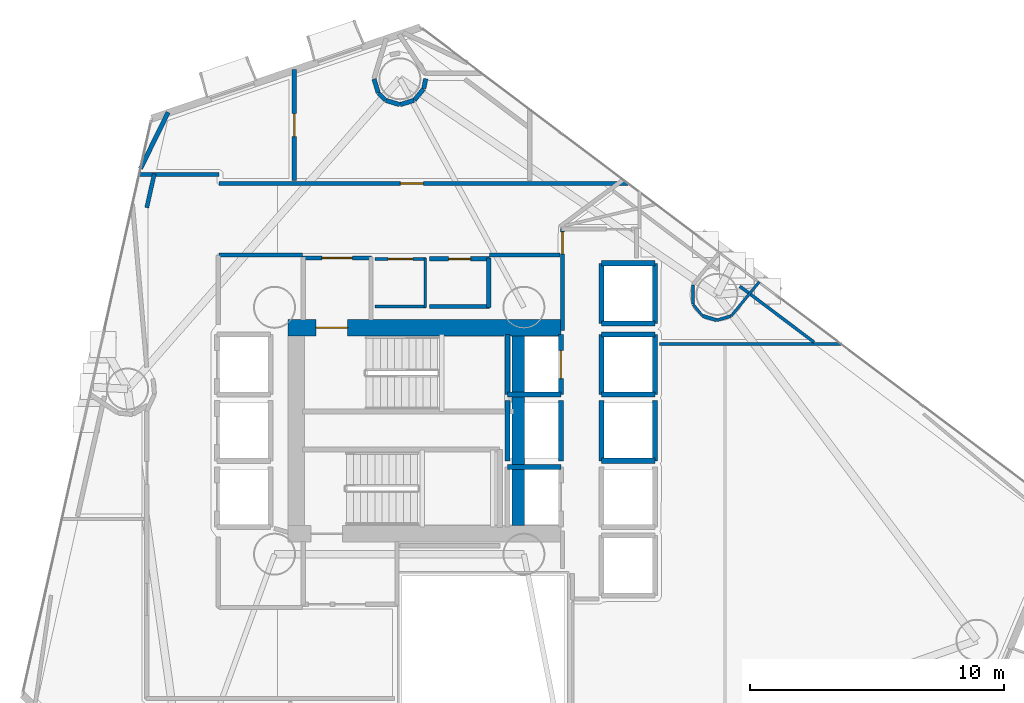
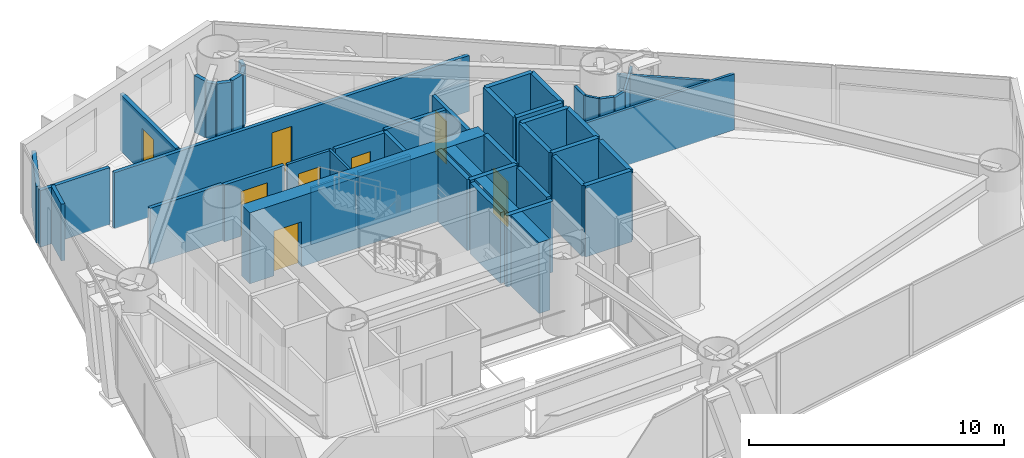
# One storey, part 17 of 22: 47 walls, 8 doors, 8 openings.
"""IFC4 building model written with IfcOpenShell, lengths in metres."""

from ifc_helpers import new_model, si_unit, direction, frame, frame_2d, origin, place, context, subcontext, project, spatial, rectangle, extrude, material, layer, layer_set, type_object, element, fill, save


model = new_model("IFC4")

# Units and contexts
model_context = context("Model", 3, precision=1e-05, world=origin(), true_north=direction((0.0, 1.0)))
body_context = subcontext(model_context, "Body", "Model", "MODEL_VIEW")
ifc_project = project(units=[si_unit("LENGTHUNIT", "METRE"), si_unit("AREAUNIT", "SQUARE_METRE"), si_unit("VOLUMEUNIT", "CUBIC_METRE"), si_unit("PLANEANGLEUNIT", "RADIAN"), si_unit("MASSUNIT", "GRAM", prefix="KILO")], contexts=[model_context])

# Site, building, storey
site_placement = place(None, origin())
site = spatial("IfcSite", under=ifc_project, at=site_placement, CompositionType="ELEMENT")
building_placement = place(site_placement, origin())
building = spatial("IfcBuilding", under=site, at=building_placement, Name="Qianvela Tower", CompositionType="ELEMENT")
storey_placement = place(building_placement, frame((0.0, 0.0, 89.5)))
storey = spatial("IfcBuildingStorey", under=building, at=storey_placement, Name="L22", CompositionType="ELEMENT", Elevation=89.5)

# Wall, opening, door
ifc_material_1 = material(Name="Concrete C60", Category="concrete")
ifc_layer_1 = layer(ifc_material_1, 0.64990234375)
ifc_layer_set_1 = layer_set([ifc_layer_1], Name="Concrete C60")
wall_type_1 = type_object("IfcWallType", Name="WT-CORE-650", PredefinedType="SHEAR", material=ifc_layer_set_1)
wall_1_placement = place(storey_placement, frame((29.1298828125, 32.7451171875, 0.0), z_axis=(0.0, 0.0, 1.0), x_axis=(1.0, 0.0, 0.0)))
wall_1 = element("IfcWall", 1, at=wall_1_placement, inside=storey, type_object=wall_type_1, Name="L22 North Core Shear Wall", PredefinedType="SHEAR", context=body_context, shape_type="SweptSolid", body=[
    extrude(rectangle(XDim=10.72021484375, YDim=0.64990234375, at=frame_2d((5.360107421875, 0.0))), origin(), (0.0, 0.0, 1.0), 3.39990234375),
])
opening_1_placement = place(wall_1_placement, frame((1.094970703125, 0.0, 0.0)))
opening_1 = element("IfcOpeningElement", 2, at=opening_1_placement, cuts=wall_1, Name="Opening D-ST1", PredefinedType="OPENING", context=body_context, shape_type="SweptSolid", body=[
    extrude(rectangle(XDim=1.25, YDim=2.14990234375, at=frame_2d((0.625, 1.074951171875))), frame((0.0, 0.3349609375, 0.0), z_axis=(0.0, -1.0, 0.0), x_axis=(1.0, 0.0, 0.0)), (0.0, 0.0, 1.0), 0.669921875),
])
ifc_material_2 = material(Name="Galvanised Fire Steel Q355B", Category="steel")
door_type_1 = type_object("IfcDoorType", Name="DT-STAIR-FD90", OperationType="NOTDEFINED", PredefinedType="DOOR", material=ifc_material_2)
door_1_placement = place(opening_1_placement, origin())
door_1 = element("IfcDoor", 3, at=door_1_placement, inside=storey, type_object=door_type_1, Name="L22 Stair ST-1 Exit Door", OperationType="SINGLE_SWING_RIGHT", OverallHeight=2.14990234375, OverallWidth=1.25, PredefinedType="DOOR", context=body_context, shape_type="SweptSolid", body=[
    extrude(rectangle(XDim=1.25, YDim=2.14990234375, at=frame_2d((0.625, 1.074951171875))), frame((0.0, 0.02490234375, 0.0), z_axis=(0.0, -1.0, 0.0), x_axis=(1.0, 0.0, 0.0)), (0.0, 0.0, 1.0), 0.050048828125),
])
fill(opening_1, door_1)

# Wall
wall_2_placement = place(storey_placement, frame((38.179931640625, 24.97998046875, 0.0), z_axis=(0.0, 0.0, 1.0), x_axis=(0.0, 1.0, 0.0)))
element("IfcWall", 4, at=wall_2_placement, inside=storey, type_object=wall_type_1, Name="L22 East Spine Core Shear Wall", PredefinedType="SHEAR", context=body_context, shape_type="SweptSolid", body=[
    extrude(rectangle(XDim=7.43994140625, YDim=0.5, at=frame_2d((3.719970703125, 0.0))), origin(), (0.0, 0.0, 1.0), 3.39990234375),
])

# Wall, opening, door
ifc_material_3 = material(Name="Fire-Rated Gypsum and Concrete Block", Category="concrete")
ifc_layer_2 = layer(ifc_material_3, 0.159912109375)
ifc_layer_set_2 = layer_set([ifc_layer_2], Name="Fire-Rated Gypsum and Concrete Block")
wall_type_2 = type_object("IfcWallType", Name="WT-CORR-160", PredefinedType="PARTITIONING", material=ifc_layer_set_2)
wall_3_placement = place(storey_placement, frame((29.699951171875, 35.489013671875, 0.0), z_axis=(0.0, 0.0, 1.0), x_axis=(1.0, 0.0, 0.0)))
wall_3 = element("IfcWall", 5, at=wall_3_placement, inside=storey, type_object=wall_type_2, Name="L22 Partition 3", PredefinedType="PARTITIONING", context=body_context, shape_type="SweptSolid", body=[
    extrude(rectangle(XDim=2.719970703125, YDim=0.159912109375, at=frame_2d((1.35986328125, 0.0))), origin(), (0.0, 0.0, 1.0), 2.719970703125),
])
opening_2_placement = place(wall_3_placement, frame((0.760009765625, 0.0, 0.0)))
opening_2 = element("IfcOpeningElement", 6, at=opening_2_placement, cuts=wall_3, Name="Opening D-LB1", PredefinedType="OPENING", context=body_context, shape_type="SweptSolid", body=[
    extrude(rectangle(XDim=1.199951171875, YDim=2.14990234375, at=frame_2d((0.60009765625, 1.074951171875))), frame((0.0, 0.08984375, 0.0), z_axis=(0.0, -1.0, 0.0), x_axis=(1.0, 0.0, 0.0)), (0.0, 0.0, 1.0), 0.179931640625),
])
ifc_material_4 = material(Name="Glazed Fire-Rated Steel Frame", Category="steel")
door_type_2 = type_object("IfcDoorType", Name="DT-LOBBY-FD90", OperationType="NOTDEFINED", PredefinedType="DOOR", material=ifc_material_4)
door_2_placement = place(opening_2_placement, origin())
door_2 = element("IfcDoor", 7, at=door_2_placement, inside=storey, type_object=door_type_2, Name="L22 Door L22 Firefighting Lobby North to L22 Floor Corridor", OperationType="SINGLE_SWING_RIGHT", OverallHeight=2.14990234375, OverallWidth=1.199951171875, PredefinedType="DOOR", context=body_context, shape_type="SweptSolid", body=[
    extrude(rectangle(XDim=1.199951171875, YDim=2.14990234375, at=frame_2d((0.60009765625, 1.074951171875))), frame((0.0, 0.02490234375, 0.0), z_axis=(0.0, -1.0, 0.0), x_axis=(1.0, 0.0, 0.0)), (0.0, 0.0, 1.0), 0.050048828125),
])
fill(opening_2, door_2)

wall_4_placement = place(storey_placement, frame((39.910888671875, 32.639892578125, 0.0), z_axis=(0.0, 0.0, 1.0), x_axis=(0.0, 1.0, 0.0)))
wall_4 = element("IfcWall", 8, at=wall_4_placement, inside=storey, type_object=wall_type_2, Name="L22 Partition 10", PredefinedType="PARTITIONING", context=body_context, shape_type="SweptSolid", body=[
    extrude(rectangle(XDim=4.010009765625, YDim=0.159912109375, at=frame_2d((2.0048828125, 0.0))), origin(), (0.0, 0.0, 1.0), 2.719970703125),
])
opening_3_placement = place(wall_4_placement, frame((3.010009765625, 0.0, 0.0)))
opening_3 = element("IfcOpeningElement", 9, at=opening_3_placement, cuts=wall_4, Name="Opening D-LB2", PredefinedType="OPENING", context=body_context, shape_type="SweptSolid", body=[
    extrude(rectangle(XDim=0.860107421875, YDim=2.050048828125, at=frame_2d((0.43017578125, 1.02490234375))), frame((0.0, 0.08984375, 0.0), z_axis=(0.0, -1.0, 0.0), x_axis=(1.0, 0.0, 0.0)), (0.0, 0.0, 1.0), 0.179931640625),
])
ifc_material_5 = material(Name="Insulated Steel Fire Door Q355B", Category="steel")
door_type_3 = type_object("IfcDoorType", Name="DT-LOBBY-FD90-860", OperationType="NOTDEFINED", PredefinedType="DOOR", material=ifc_material_5)
door_3_placement = place(opening_3_placement, origin())
door_3 = element("IfcDoor", 10, at=door_3_placement, inside=storey, type_object=door_type_3, Name="L22 Door L22 Lift Lobby to L22 Floor Corridor", OperationType="SINGLE_SWING_LEFT", OverallHeight=2.050048828125, OverallWidth=0.860107421875, PredefinedType="DOOR", context=body_context, shape_type="SweptSolid", body=[
    extrude(rectangle(XDim=0.860107421875, YDim=2.050048828125, at=frame_2d((0.43017578125, 1.02490234375))), frame((0.0, 0.02490234375, 0.0), z_axis=(0.0, -1.0, 0.0), x_axis=(1.0, 0.0, 0.0)), (0.0, 0.0, 1.0), 0.050048828125),
])
fill(opening_3, door_3)

# Walls
wall_5_placement = place(storey_placement, frame((23.580078125, 37.46435546875, 0.0), z_axis=(0.0, 0.0, 1.0), x_axis=(0.219055756509, 0.97571234262, 0.0)))
element("IfcWall", 11, at=wall_5_placement, inside=storey, type_object=wall_type_2, Name="L22 Partition 40", PredefinedType="PARTITIONING", context=body_context, shape_type="SweptSolid", body=[
    extrude(rectangle(XDim=1.36181640625, YDim=0.159912109375, at=frame_2d((0.680908203125, 0.0))), origin(), (0.0, 0.0, 1.0), 2.719970703125),
])
wall_6_placement = place(storey_placement, frame((23.262451171875, 38.76904296875, 0.0), z_axis=(0.0, 0.0, 1.0), x_axis=(1.0, 0.0, 0.0)))
element("IfcWall", 12, at=wall_6_placement, inside=storey, type_object=wall_type_2, Name="L22 Partition 41", PredefinedType="PARTITIONING", context=body_context, shape_type="SweptSolid", body=[
    extrude(rectangle(XDim=3.157470703125, YDim=0.159912109375, at=frame_2d((1.57861328125, 0.0))), origin(), (0.0, 0.0, 1.0), 2.719970703125),
])

# Wall, opening, door
wall_7_placement = place(storey_placement, frame((26.419921875, 38.4189453125, 0.0), z_axis=(0.0, 0.0, 1.0), x_axis=(1.0, 0.0, 0.0)))
wall_7 = element("IfcWall", 13, at=wall_7_placement, inside=storey, type_object=wall_type_2, Name="L22 Partition 42", PredefinedType="PARTITIONING", context=body_context, shape_type="SweptSolid", body=[
    extrude(rectangle(XDim=16.07470703125, YDim=0.159912109375, at=frame_2d((8.037353515625, 0.0))), origin(), (0.0, 0.0, 1.0), 2.677978515625),
])
opening_4_placement = place(wall_7_placement, frame((7.1298828125, 0.0, 0.0)))
opening_4 = element("IfcOpeningElement", 14, at=opening_4_placement, cuts=wall_7, Name="Opening D-KT1", PredefinedType="OPENING", context=body_context, shape_type="SweptSolid", body=[
    extrude(rectangle(XDim=0.89990234375, YDim=2.10009765625, at=frame_2d((0.449951171875, 1.050048828125))), frame((0.0, 0.08984375, 0.0), z_axis=(0.0, -1.0, 0.0), x_axis=(1.0, 0.0, 0.0)), (0.0, 0.0, 1.0), 0.179931640625),
])
ifc_material_6 = material(Name="Glazed Timber Kitchen Door", Category="wood")
door_type_4 = type_object("IfcDoorType", Name="DT-KITCH-900", OperationType="NOTDEFINED", PredefinedType="DOOR", material=ifc_material_6)
door_4_placement = place(opening_4_placement, origin())
door_4 = element("IfcDoor", 15, at=door_4_placement, inside=storey, type_object=door_type_4, Name="L22 Door Student Tea Pantry L22-04 to L22 Floor Corridor", OperationType="SINGLE_SWING_RIGHT", OverallHeight=2.10009765625, OverallWidth=0.89990234375, PredefinedType="DOOR", context=body_context, shape_type="SweptSolid", body=[
    extrude(rectangle(XDim=0.89990234375, YDim=2.10009765625, at=frame_2d((0.449951171875, 1.050048828125))), frame((0.0, 0.02490234375, 0.0), z_axis=(0.0, -1.0, 0.0), x_axis=(1.0, 0.0, 0.0)), (0.0, 0.0, 1.0), 0.050048828125),
])
fill(opening_4, door_4)

# Walls
wall_8_placement = place(storey_placement, frame((39.818115234375, 35.611083984375, 0.0), z_axis=(0.0, 0.0, 1.0), x_axis=(-1.0, 0.0, 0.0)))
element("IfcWall", 16, at=wall_8_placement, inside=storey, type_object=wall_type_2, Name="L22 Partition 45 seg 1", PredefinedType="PARTITIONING", context=body_context, shape_type="SweptSolid", body=[
    extrude(rectangle(XDim=2.76806640625, YDim=0.159912109375, at=frame_2d((1.384033203125, 0.0))), origin(), (0.0, 0.0, 1.0), 2.719970703125),
])
wall_9_placement = place(storey_placement, frame((29.699951171875, 35.611083984375, 0.0), z_axis=(0.0, 0.0, 1.0), x_axis=(-1.0, 0.0, 0.0)))
element("IfcWall", 17, at=wall_9_placement, inside=storey, type_object=wall_type_2, Name="L22 Partition 45 seg 4", PredefinedType="PARTITIONING", context=body_context, shape_type="SweptSolid", body=[
    extrude(rectangle(XDim=3.280029296875, YDim=0.159912109375, at=frame_2d((1.64013671875, 0.0))), origin(), (0.0, 0.0, 1.0), 2.677978515625),
])
ifc_material_7 = material(Name="Lightweight Gypsum Room Partition")
ifc_layer_3 = layer(ifc_material_7, 0.10498046875)
ifc_layer_set_3 = layer_set([ifc_layer_3], Name="Lightweight Gypsum Room Partition")
wall_type_3 = type_object("IfcWallType", Name="WT-PART-105", PredefinedType="PARTITIONING", material=ifc_layer_set_3)
wall_10_placement = place(storey_placement, frame((34.550048828125, 33.5810546875, 0.0), z_axis=(0.0, 0.0, 1.0), x_axis=(-1.0, 0.0, 0.0)))
element("IfcWall", 18, at=wall_10_placement, inside=storey, type_object=wall_type_3, Name="L22 Partition 18", PredefinedType="PARTITIONING", context=body_context, shape_type="SweptSolid", body=[
    extrude(rectangle(XDim=2.0, YDim=0.10498046875, at=frame_2d((1.0, 0.0))), origin(), (0.0, 0.0, 1.0), 2.719970703125),
])
wall_11_placement = place(storey_placement, frame((34.51904296875, 35.47998046875, 0.0), z_axis=(0.0, 0.0, 1.0), x_axis=(0.0, -1.0, 0.0)))
element("IfcWall", 19, at=wall_11_placement, inside=storey, type_object=wall_type_3, Name="L22 Partition 21", PredefinedType="PARTITIONING", context=body_context, shape_type="SweptSolid", body=[
    extrude(rectangle(XDim=1.929931640625, YDim=0.10498046875, at=frame_2d((0.96484375, 0.0))), origin(), (0.0, 0.0, 1.0), 2.719970703125),
])
wall_12_placement = place(storey_placement, frame((45.050048828125, 33.660400390625, 0.0), z_axis=(0.0, 0.0, 1.0), x_axis=(0.634329694458, -0.773062635709, 0.0)))
element("IfcWall", 20, at=wall_12_placement, inside=storey, type_object=wall_type_3, Name="L22 Partition 84", PredefinedType="PARTITIONING", context=body_context, shape_type="SweptSolid", body=[
    extrude(rectangle(XDim=0.572021484375, YDim=0.10498046875, at=frame_2d((0.2861328125, 0.0))), origin(), (0.0, 0.0, 1.0), 2.719970703125),
])
wall_13_placement = place(storey_placement, frame((46.55517578125, 33.21826171875, 0.0), z_axis=(0.0, 0.0, 1.0), x_axis=(0.634357939729, 0.773039458439, 0.0)))
element("IfcWall", 21, at=wall_13_placement, inside=storey, type_object=wall_type_3, Name="L22 Partition 87", PredefinedType="PARTITIONING", context=body_context, shape_type="SweptSolid", body=[
    extrude(rectangle(XDim=1.719970703125, YDim=0.10498046875, at=frame_2d((0.85986328125, 0.0))), origin(), (0.0, 0.0, 1.0), 2.677978515625),
])

# Wall, opening, door
ifc_material_8 = material(Name="Insulated Gypsum Stud Partition")
ifc_layer_4 = layer(ifc_material_8, 0.1201171875)
ifc_layer_set_4 = layer_set([ifc_layer_4], Name="Insulated Gypsum Stud Partition")
wall_type_4 = type_object("IfcWallType", Name="WT-PART-120", PredefinedType="PARTITIONING", material=ifc_layer_set_4)
wall_14_placement = place(storey_placement, frame((32.550048828125, 35.448974609375, 0.0), z_axis=(0.0, 0.0, 1.0), x_axis=(1.0, 0.0, 0.0)))
wall_14 = element("IfcWall", 22, at=wall_14_placement, inside=storey, type_object=wall_type_4, Name="L22 Partition 20", PredefinedType="PARTITIONING", context=body_context, shape_type="SweptSolid", body=[
    extrude(rectangle(XDim=2.0, YDim=0.1201171875, at=frame_2d((1.0, 0.0))), origin(), (0.0, 0.0, 1.0), 2.719970703125),
])
opening_5_placement = place(wall_14_placement, frame((0.510009765625, 0.0, 0.0)))
opening_5 = element("IfcOpeningElement", 23, at=opening_5_placement, cuts=wall_14, Name="Opening D-RM1", PredefinedType="OPENING", context=body_context, shape_type="SweptSolid", body=[
    extrude(rectangle(XDim=0.97998046875, YDim=2.10009765625, at=frame_2d((0.489990234375, 1.050048828125))), frame((0.0, 0.070068359375, 0.0), z_axis=(0.0, -1.0, 0.0), x_axis=(1.0, 0.0, 0.0)), (0.0, 0.0, 1.0), 0.14013671875),
])
ifc_material_9 = material(Name="Solid Core Acoustic Timber Fire Door", Category="wood")
door_type_5 = type_object("IfcDoorType", Name="DT-ROOM-FD60", OperationType="NOTDEFINED", PredefinedType="DOOR", material=ifc_material_9)
door_5_placement = place(opening_5_placement, origin())
door_5 = element("IfcDoor", 24, at=door_5_placement, inside=storey, type_object=door_type_5, Name="L22 Door L22 Cleaner Store to L22 Floor Corridor", OperationType="SINGLE_SWING_RIGHT", OverallHeight=2.10009765625, OverallWidth=0.97998046875, PredefinedType="DOOR", context=body_context, shape_type="SweptSolid", body=[
    extrude(rectangle(XDim=0.97998046875, YDim=2.10009765625, at=frame_2d((0.489990234375, 1.050048828125))), frame((0.0, 0.02490234375, 0.0), z_axis=(0.0, -1.0, 0.0), x_axis=(1.0, 0.0, 0.0)), (0.0, 0.0, 1.0), 0.050048828125),
])
fill(opening_5, door_5)

# Walls
wall_15_placement = place(storey_placement, frame((43.719970703125, 32.10693359375, 0.0), z_axis=(0.0, 0.0, 1.0), x_axis=(1.0, 0.0, 0.0)))
element("IfcWall", 25, at=wall_15_placement, inside=storey, type_object=wall_type_4, Name="L22 Partition 68", PredefinedType="PARTITIONING", context=body_context, shape_type="SweptSolid", body=[
    extrude(rectangle(XDim=7.153076171875, YDim=0.1201171875, at=frame_2d((3.57666015625, 0.0))), origin(), (0.0, 0.0, 1.0), 2.677978515625),
])
wall_16_placement = place(storey_placement, frame((45.04296875, 34.433837890625, 0.0), z_axis=(0.0, 0.0, 1.0), x_axis=(0.0, -1.0, 0.0)))
element("IfcWall", 26, at=wall_16_placement, inside=storey, type_object=wall_type_4, Name="L22 Partition 83", PredefinedType="PARTITIONING", context=body_context, shape_type="SweptSolid", body=[
    extrude(rectangle(XDim=0.753662109375, YDim=0.1201171875, at=frame_2d((0.376953125, 0.0))), origin(), (0.0, 0.0, 1.0), 2.719970703125),
])
wall_17_placement = place(storey_placement, frame((45.992919921875, 33.042236328125, 0.0), z_axis=(0.0, 0.0, 1.0), x_axis=(0.956952578659, 0.290244314669, 0.0)))
element("IfcWall", 27, at=wall_17_placement, inside=storey, type_object=wall_type_4, Name="L22 Partition 86", PredefinedType="PARTITIONING", context=body_context, shape_type="SweptSolid", body=[
    extrude(rectangle(XDim=0.572021484375, YDim=0.1201171875, at=frame_2d((0.2861328125, 0.0))), origin(), (0.0, 0.0, 1.0), 2.677978515625),
])
wall_18_placement = place(storey_placement, frame((46.8857421875, 34.37451171875, 0.0), z_axis=(0.0, 0.0, 1.0), x_axis=(0.798755968832, -0.60165513565, 0.0)))
element("IfcWall", 28, at=wall_18_placement, inside=storey, type_object=wall_type_4, Name="L22 Partition 89", PredefinedType="PARTITIONING", context=body_context, shape_type="SweptSolid", body=[
    extrude(rectangle(XDim=3.6552734375, YDim=0.1201171875, at=frame_2d((1.82763671875, 0.0))), origin(), (0.0, 0.0, 1.0), 2.677978515625),
])
ifc_material_10 = material(Name="Moisture-Resistant Acoustic Plumbing Wall")
ifc_layer_5 = layer(ifc_material_10, 0.175048828125)
ifc_layer_set_5 = layer_set([ifc_layer_5], Name="Moisture-Resistant Acoustic Plumbing Wall")
wall_type_5 = type_object("IfcWallType", Name="WT-PLUMB-175", PredefinedType="PLUMBINGWALL", material=ifc_layer_set_5)
wall_19_placement = place(storey_placement, frame((37.050048828125, 33.5810546875, 0.0), z_axis=(0.0, 0.0, 1.0), x_axis=(-1.0, 0.0, 0.0)))
element("IfcWall", 29, at=wall_19_placement, inside=storey, type_object=wall_type_5, Name="L22 Partition 22", PredefinedType="PLUMBINGWALL", context=body_context, shape_type="SweptSolid", body=[
    extrude(rectangle(XDim=2.35009765625, YDim=0.175048828125, at=frame_2d((1.175048828125, 0.0))), origin(), (0.0, 0.0, 1.0), 2.719970703125),
])

# Wall, opening, door
wall_20_placement = place(storey_placement, frame((34.699951171875, 35.448974609375, 0.0), z_axis=(0.0, 0.0, 1.0), x_axis=(1.0, 0.0, 0.0)))
wall_20 = element("IfcWall", 30, at=wall_20_placement, inside=storey, type_object=wall_type_5, Name="L22 Partition 24", PredefinedType="PLUMBINGWALL", context=body_context, shape_type="SweptSolid", body=[
    extrude(rectangle(XDim=2.35009765625, YDim=0.175048828125, at=frame_2d((1.175048828125, 0.0))), origin(), (0.0, 0.0, 1.0), 2.719970703125),
])
opening_6_placement = place(wall_20_placement, frame((0.7451171875, 0.0, 0.0)))
opening_6 = element("IfcOpeningElement", 31, at=opening_6_placement, cuts=wall_20, Name="Opening D-WC1", PredefinedType="OPENING", context=body_context, shape_type="SweptSolid", body=[
    extrude(rectangle(XDim=0.860107421875, YDim=2.050048828125, at=frame_2d((0.43017578125, 1.02490234375))), frame((0.0, 0.097412109375, 0.0), z_axis=(0.0, -1.0, 0.0), x_axis=(1.0, 0.0, 0.0)), (0.0, 0.0, 1.0), 0.195068359375),
])
ifc_material_11 = material(Name="Moisture-Sealed Acoustic Timber Door", Category="wood")
door_type_6 = type_object("IfcDoorType", Name="DT-WC-860", OperationType="NOTDEFINED", PredefinedType="DOOR", material=ifc_material_11)
door_6_placement = place(opening_6_placement, origin())
door_6 = element("IfcDoor", 32, at=door_6_placement, inside=storey, type_object=door_type_6, Name="L22 Door L22 Accessible WC to L22 Floor Corridor", OperationType="SINGLE_SWING_LEFT", OverallHeight=2.050048828125, OverallWidth=0.860107421875, PredefinedType="DOOR", context=body_context, shape_type="SweptSolid", body=[
    extrude(rectangle(XDim=0.860107421875, YDim=2.050048828125, at=frame_2d((0.43017578125, 1.02490234375))), frame((0.0, 0.02490234375, 0.0), z_axis=(0.0, -1.0, 0.0), x_axis=(1.0, 0.0, 0.0)), (0.0, 0.0, 1.0), 0.050048828125),
])
fill(opening_6, door_6)

# Wall
wall_21_placement = place(storey_placement, frame((37.01904296875, 35.47998046875, 0.0), z_axis=(0.0, 0.0, 1.0), x_axis=(0.0, -1.0, 0.0)))
element("IfcWall", 33, at=wall_21_placement, inside=storey, type_object=wall_type_5, Name="L22 Partition 25", PredefinedType="PLUMBINGWALL", context=body_context, shape_type="SweptSolid", body=[
    extrude(rectangle(XDim=1.929931640625, YDim=0.175048828125, at=frame_2d((0.96484375, 0.0))), origin(), (0.0, 0.0, 1.0), 2.719970703125),
])

# Wall, opening, door
wall_22_placement = place(storey_placement, frame((29.373046875, 38.530029296875, 0.0), z_axis=(0.0, 0.0, 1.0), x_axis=(0.0, 1.0, 0.0)))
wall_22 = element("IfcWall", 34, at=wall_22_placement, inside=storey, type_object=wall_type_5, Name="L22 Partition 91", PredefinedType="PLUMBINGWALL", context=body_context, shape_type="SweptSolid", body=[
    extrude(rectangle(XDim=4.360595703125, YDim=0.175048828125, at=frame_2d((2.18017578125, 0.0))), origin(), (0.0, 0.0, 1.0), 2.719970703125),
])
opening_7_placement = place(wall_22_placement, frame((1.730224609375, 0.0, 0.0)))
opening_7 = element("IfcOpeningElement", 35, at=opening_7_placement, cuts=wall_22, Name="Opening D-KT1", PredefinedType="OPENING", context=body_context, shape_type="SweptSolid", body=[
    extrude(rectangle(XDim=0.89990234375, YDim=2.10009765625, at=frame_2d((0.449951171875, 1.050048828125))), frame((0.0, 0.097412109375, 0.0), z_axis=(0.0, -1.0, 0.0), x_axis=(1.0, 0.0, 0.0)), (0.0, 0.0, 1.0), 0.195068359375),
])
door_7_placement = place(opening_7_placement, origin())
door_7 = element("IfcDoor", 36, at=door_7_placement, inside=storey, type_object=door_type_4, Name="L22 Door Floor Dining Kitchen L22-05 to Student Tea Pantry L22-04", OperationType="SINGLE_SWING_RIGHT", OverallHeight=2.10009765625, OverallWidth=0.89990234375, PredefinedType="DOOR", context=body_context, shape_type="SweptSolid", body=[
    extrude(rectangle(XDim=0.89990234375, YDim=2.10009765625, at=frame_2d((0.449951171875, 1.050048828125))), frame((0.0, 0.02490234375, 0.0), z_axis=(0.0, -1.0, 0.0), x_axis=(1.0, 0.0, 0.0)), (0.0, 0.0, 1.0), 0.050048828125),
])
fill(opening_7, door_7)

# Walls
wall_23_placement = place(storey_placement, frame((32.51123046875, 42.52001953125, 0.0), z_axis=(0.0, 0.0, 1.0), x_axis=(0.290362912899, -0.956916599716, 0.0)))
element("IfcWall", 37, at=wall_23_placement, inside=storey, type_object=wall_type_5, Name="L22 Partition 100", PredefinedType="PLUMBINGWALL", context=body_context, shape_type="SweptSolid", body=[
    extrude(rectangle(XDim=0.57177734375, YDim=0.175048828125, at=frame_2d((0.285888671875, 0.0))), origin(), (0.0, 0.0, 1.0), 2.719970703125),
])
wall_24_placement = place(storey_placement, frame((32.68505859375, 41.959716796875, 0.0), z_axis=(0.0, 0.0, 1.0), x_axis=(0.707106781187, -0.707106781187, 0.0)))
element("IfcWall", 38, at=wall_24_placement, inside=storey, type_object=wall_type_5, Name="L22 Partition 101", PredefinedType="PLUMBINGWALL", context=body_context, shape_type="SweptSolid", body=[
    extrude(rectangle(XDim=0.38427734375, YDim=0.175048828125, at=frame_2d((0.192138671875, 0.0))), origin(), (0.0, 0.0, 1.0), 2.677978515625),
])
wall_25_placement = place(storey_placement, frame((32.9697265625, 41.680419921875, 0.0), z_axis=(0.0, 0.0, 1.0), x_axis=(0.956952578659, -0.290244314669, 0.0)))
element("IfcWall", 39, at=wall_25_placement, inside=storey, type_object=wall_type_5, Name="L22 Partition 102", PredefinedType="PLUMBINGWALL", context=body_context, shape_type="SweptSolid", body=[
    extrude(rectangle(XDim=0.572021484375, YDim=0.175048828125, at=frame_2d((0.2861328125, 0.0))), origin(), (0.0, 0.0, 1.0), 2.677978515625),
])
wall_26_placement = place(storey_placement, frame((33.534912109375, 41.514404296875, 0.0), z_axis=(0.0, 0.0, 1.0), x_axis=(0.956952578659, 0.290244314669, 0.0)))
element("IfcWall", 40, at=wall_26_placement, inside=storey, type_object=wall_type_5, Name="L22 Partition 103", PredefinedType="PLUMBINGWALL", context=body_context, shape_type="SweptSolid", body=[
    extrude(rectangle(XDim=0.572021484375, YDim=0.175048828125, at=frame_2d((0.2861328125, 0.0))), origin(), (0.0, 0.0, 1.0), 2.719970703125),
])
wall_27_placement = place(storey_placement, frame((34.09716796875, 41.690185546875, 0.0), z_axis=(0.0, 0.0, 1.0), x_axis=(0.634329694458, 0.773062635709, 0.0)))
element("IfcWall", 41, at=wall_27_placement, inside=storey, type_object=wall_type_5, Name="L22 Partition 104", PredefinedType="PLUMBINGWALL", context=body_context, shape_type="SweptSolid", body=[
    extrude(rectangle(XDim=0.572021484375, YDim=0.175048828125, at=frame_2d((0.2861328125, 0.0))), origin(), (0.0, 0.0, 1.0), 2.677978515625),
])
wall_28_placement = place(storey_placement, frame((34.466552734375, 42.146240234375, 0.0), z_axis=(0.0, 0.0, 1.0), x_axis=(0.188455212737, 0.982081785185, 0.0)))
element("IfcWall", 42, at=wall_28_placement, inside=storey, type_object=wall_type_5, Name="L22 Partition 105", PredefinedType="PLUMBINGWALL", context=body_context, shape_type="SweptSolid", body=[
    extrude(rectangle(XDim=0.392578125, YDim=0.175048828125, at=frame_2d((0.1962890625, 0.0))), origin(), (0.0, 0.0, 1.0), 2.719970703125),
])
wall_29_placement = place(storey_placement, frame((23.334228515625, 38.999267578125, 0.0), z_axis=(0.0, 0.0, 1.0), x_axis=(0.44113104015, 0.897442703138, 0.0)))
element("IfcWall", 43, at=wall_29_placement, inside=storey, type_object=wall_type_5, Name="L22 Partition 112", PredefinedType="PLUMBINGWALL", context=body_context, shape_type="SweptSolid", body=[
    extrude(rectangle(XDim=2.460693359375, YDim=0.175048828125, at=frame_2d((1.23046875, 0.0))), origin(), (0.0, 0.0, 1.0), 2.719970703125),
])
ifc_material_12 = material(Name="Acoustic Double Gypsum Stud Partition")
ifc_layer_6 = layer(ifc_material_12, 0.139892578125)
ifc_layer_set_6 = layer_set([ifc_layer_6], Name="Acoustic Double Gypsum Stud Partition")
wall_type_6 = type_object("IfcWallType", Name="WT-ROOM-140", PredefinedType="PARTITIONING", material=ifc_layer_set_6)
wall_30_placement = place(storey_placement, frame((45.427734375, 33.208251953125, 0.0), z_axis=(0.0, 0.0, 1.0), x_axis=(0.956952578659, -0.290244314669, 0.0)))
element("IfcWall", 44, at=wall_30_placement, inside=storey, type_object=wall_type_6, Name="L22 Partition 85", PredefinedType="PARTITIONING", context=body_context, shape_type="SweptSolid", body=[
    extrude(rectangle(XDim=0.572021484375, YDim=0.139892578125, at=frame_2d((0.2861328125, 0.0))), origin(), (0.0, 0.0, 1.0), 2.719970703125),
])

# Wall, opening, door
ifc_material_13 = material(Name="Concrete C50", Category="concrete")
ifc_layer_7 = layer(ifc_material_13, 0.199951171875)
ifc_layer_set_7 = layer_set([ifc_layer_7], Name="Concrete C50")
wall_type_7 = type_object("IfcWallType", Name="WT-SHAFT-200", PredefinedType="SOLIDWALL", material=ifc_layer_set_7)
wall_31_placement = place(storey_placement, frame((39.85009765625, 30.1201171875, 0.0), z_axis=(0.0, 0.0, 1.0), x_axis=(0.0, 1.0, 0.0)))
wall_31 = element("IfcWall", 45, at=wall_31_placement, inside=storey, type_object=wall_type_7, Name="L22 Lift FL-1 E Shaft Wall", PredefinedType="SOLIDWALL", context=body_context, shape_type="SweptSolid", body=[
    extrude(rectangle(XDim=2.35986328125, YDim=0.199951171875, at=frame_2d((1.179931640625, 0.0))), origin(), (0.0, 0.0, 1.0), 3.39990234375),
])
opening_8_placement = place(wall_31_placement, frame((0.6298828125, 0.0, 0.0)))
opening_8 = element("IfcOpeningElement", 46, at=opening_8_placement, cuts=wall_31, Name="Opening LD-01", PredefinedType="OPENING", context=body_context, shape_type="SweptSolid", body=[
    extrude(rectangle(XDim=1.10009765625, YDim=2.14990234375, at=frame_2d((0.550048828125, 1.074951171875))), frame((0.0, 0.10986328125, 0.0), z_axis=(0.0, -1.0, 0.0), x_axis=(1.0, 0.0, 0.0)), (0.0, 0.0, 1.0), 0.219970703125),
])
ifc_material_14 = material(Name="Brushed Stainless Steel Lift Landing Door", Category="steel")
door_type_7 = type_object("IfcDoorType", Name="DT-LIFT-SLIDE-1100", OperationType="SLIDING_TO_LEFT", PredefinedType="DOOR", material=ifc_material_14)
door_8_placement = place(opening_8_placement, origin())
door_8 = element("IfcDoor", 47, at=door_8_placement, inside=storey, type_object=door_type_7, Name="L22 Lift FL-1 Sliding Landing Door", OperationType="SLIDING_TO_LEFT", OverallHeight=2.14990234375, OverallWidth=1.10009765625, PredefinedType="DOOR", context=body_context, shape_type="SweptSolid", body=[
    extrude(rectangle(XDim=1.10009765625, YDim=2.14990234375, at=frame_2d((0.550048828125, 1.074951171875))), frame((0.0, 0.02490234375, 0.0), z_axis=(0.0, -1.0, 0.0), x_axis=(1.0, 0.0, 0.0)), (0.0, 0.0, 1.0), 0.050048828125),
])
fill(opening_8, door_8)

# Walls
wall_32_placement = place(storey_placement, frame((37.75, 30.1201171875, 0.0), z_axis=(0.0, 0.0, 1.0), x_axis=(0.0, 1.0, 0.0)))
element("IfcWall", 48, at=wall_32_placement, inside=storey, type_object=wall_type_7, Name="L22 Lift FL-1 W Shaft Wall", PredefinedType="SOLIDWALL", context=body_context, shape_type="SweptSolid", body=[
    extrude(rectangle(XDim=2.35986328125, YDim=0.199951171875, at=frame_2d((1.179931640625, 0.0))), origin(), (0.0, 0.0, 1.0), 3.39990234375),
])
for number, where, z_axis, x_axis, name in (
    (49, (37.75, 30.1201171875, 0.0), (0.0, 0.0, 1.0), (1.0, 0.0, 0.0), "L22 Lift FL-1 S Shaft Wall"),
    (50, (37.75, 27.280029296875, 0.0), (0.0, 0.0, 1.0), (1.0, 0.0, 0.0), "L22 Lift FL-2 N Shaft Wall"),
):
    element("IfcWall", number, at=place(storey_placement, frame(where, z_axis=z_axis, x_axis=x_axis)), inside=storey, type_object=wall_type_7, Name=name, PredefinedType="SOLIDWALL", context=body_context, shape_type="SweptSolid", body=[
        extrude(rectangle(XDim=2.10009765625, YDim=0.199951171875, at=frame_2d((1.050048828125, 0.0))), origin(), (0.0, 0.0, 1.0), 3.39990234375),
    ])
for number, where, z_axis, x_axis, name in (
    (51, (43.550048828125, 30.1201171875, 0.0), (0.0, 0.0, 1.0), (0.0, 1.0, 0.0), "L22 Lift PL-M1 E Shaft Wall"),
    (52, (41.449951171875, 30.1201171875, 0.0), (0.0, 0.0, 1.0), (0.0, 1.0, 0.0), "L22 Lift PL-M1 W Shaft Wall"),
):
    element("IfcWall", number, at=place(storey_placement, frame(where, z_axis=z_axis, x_axis=x_axis)), inside=storey, type_object=wall_type_7, Name=name, PredefinedType="SOLIDWALL", context=body_context, shape_type="SweptSolid", body=[
        extrude(rectangle(XDim=2.35986328125, YDim=0.199951171875, at=frame_2d((1.179931640625, 0.0))), origin(), (0.0, 0.0, 1.0), 3.39990234375),
    ])
for number, where, z_axis, x_axis, name in (
    (53, (41.449951171875, 32.47998046875, 0.0), (0.0, 0.0, 1.0), (1.0, 0.0, 0.0), "L22 Lift PL-M1 N Shaft Wall"),
    (54, (41.449951171875, 30.1201171875, 0.0), (0.0, 0.0, 1.0), (1.0, 0.0, 0.0), "L22 Lift PL-M1 S Shaft Wall"),
):
    element("IfcWall", number, at=place(storey_placement, frame(where, z_axis=z_axis, x_axis=x_axis)), inside=storey, type_object=wall_type_7, Name=name, PredefinedType="SOLIDWALL", context=body_context, shape_type="SweptSolid", body=[
        extrude(rectangle(XDim=2.10009765625, YDim=0.199951171875, at=frame_2d((1.050048828125, 0.0))), origin(), (0.0, 0.0, 1.0), 3.39990234375),
    ])
for number, where, z_axis, x_axis, name in (
    (55, (43.550048828125, 27.52001953125, 0.0), (0.0, 0.0, 1.0), (0.0, 1.0, 0.0), "L22 Lift PL-M2 E Shaft Wall"),
    (56, (41.449951171875, 27.52001953125, 0.0), (0.0, 0.0, 1.0), (0.0, 1.0, 0.0), "L22 Lift PL-M2 W Shaft Wall"),
):
    element("IfcWall", number, at=place(storey_placement, frame(where, z_axis=z_axis, x_axis=x_axis)), inside=storey, type_object=wall_type_7, Name=name, PredefinedType="SOLIDWALL", context=body_context, shape_type="SweptSolid", body=[
        extrude(rectangle(XDim=2.35986328125, YDim=0.199951171875, at=frame_2d((1.179931640625, 0.0))), origin(), (0.0, 0.0, 1.0), 3.39990234375),
    ])
wall_33_placement = place(storey_placement, frame((41.449951171875, 27.52001953125, 0.0), z_axis=(0.0, 0.0, 1.0), x_axis=(1.0, 0.0, 0.0)))
element("IfcWall", 57, at=wall_33_placement, inside=storey, type_object=wall_type_7, Name="L22 Lift PL-M2 S Shaft Wall", PredefinedType="SOLIDWALL", context=body_context, shape_type="SweptSolid", body=[
    extrude(rectangle(XDim=2.10009765625, YDim=0.199951171875, at=frame_2d((1.050048828125, 0.0))), origin(), (0.0, 0.0, 1.0), 3.39990234375),
])
for number, where, z_axis, x_axis, name in (
    (58, (39.85009765625, 27.52001953125, 0.0), (0.0, 0.0, 1.0), (0.0, 1.0, 0.0), "L22 Lift PL-H1 E Shaft Wall"),
    (59, (37.75, 27.52001953125, 0.0), (0.0, 0.0, 1.0), (0.0, 1.0, 0.0), "L22 Lift PL-H1 W Shaft Wall"),
):
    element("IfcWall", number, at=place(storey_placement, frame(where, z_axis=z_axis, x_axis=x_axis)), inside=storey, type_object=wall_type_7, Name=name, PredefinedType="SOLIDWALL", context=body_context, shape_type="SweptSolid", body=[
        extrude(rectangle(XDim=2.35986328125, YDim=0.199951171875, at=frame_2d((1.179931640625, 0.0))), origin(), (0.0, 0.0, 1.0), 3.39990234375),
    ])
for number, where, z_axis, x_axis, name in (
    (60, (43.550048828125, 32.919921875, 0.0), (0.0, 0.0, 1.0), (0.0, 1.0, 0.0), "L22 Lift PL-H3 E Shaft Wall"),
    (61, (41.449951171875, 32.919921875, 0.0), (0.0, 0.0, 1.0), (0.0, 1.0, 0.0), "L22 Lift PL-H3 W Shaft Wall"),
):
    element("IfcWall", number, at=place(storey_placement, frame(where, z_axis=z_axis, x_axis=x_axis)), inside=storey, type_object=wall_type_7, Name=name, PredefinedType="SOLIDWALL", context=body_context, shape_type="SweptSolid", body=[
        extrude(rectangle(XDim=2.360107421875, YDim=0.199951171875, at=frame_2d((1.18017578125, 0.0))), origin(), (0.0, 0.0, 1.0), 3.39990234375),
    ])
for number, where, z_axis, x_axis, name in (
    (62, (41.449951171875, 35.280029296875, 0.0), (0.0, 0.0, 1.0), (1.0, 0.0, 0.0), "L22 Lift PL-H3 N Shaft Wall"),
    (63, (41.449951171875, 32.919921875, 0.0), (0.0, 0.0, 1.0), (1.0, 0.0, 0.0), "L22 Lift PL-H3 S Shaft Wall"),
):
    element("IfcWall", number, at=place(storey_placement, frame(where, z_axis=z_axis, x_axis=x_axis)), inside=storey, type_object=wall_type_7, Name=name, PredefinedType="SOLIDWALL", context=body_context, shape_type="SweptSolid", body=[
        extrude(rectangle(XDim=2.10009765625, YDim=0.199951171875, at=frame_2d((1.050048828125, 0.0))), origin(), (0.0, 0.0, 1.0), 3.39990234375),
    ])

save(model, "model.ifc")
